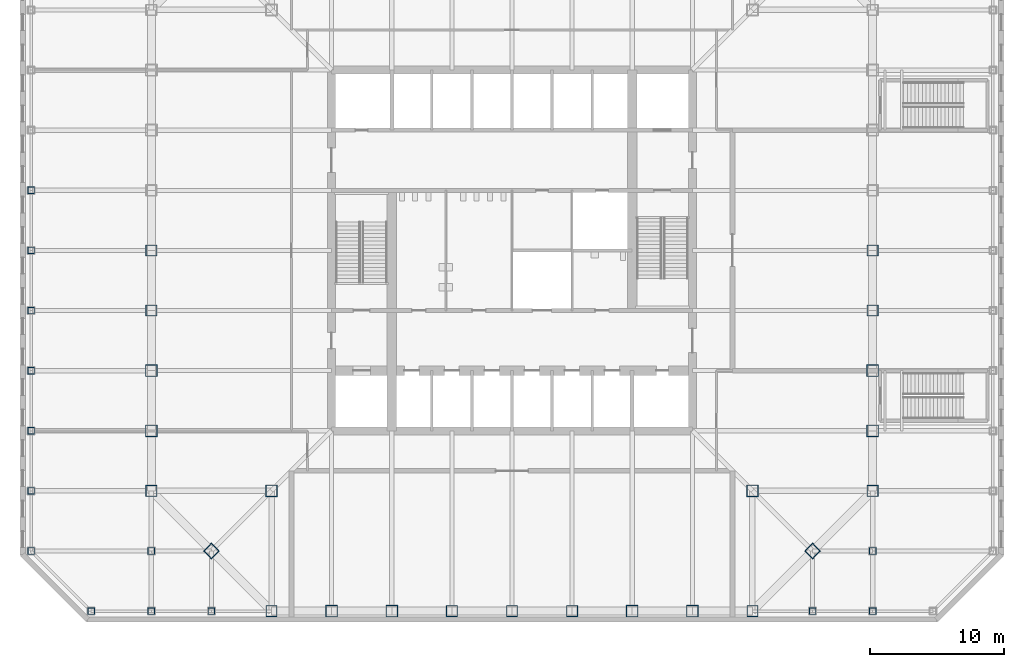
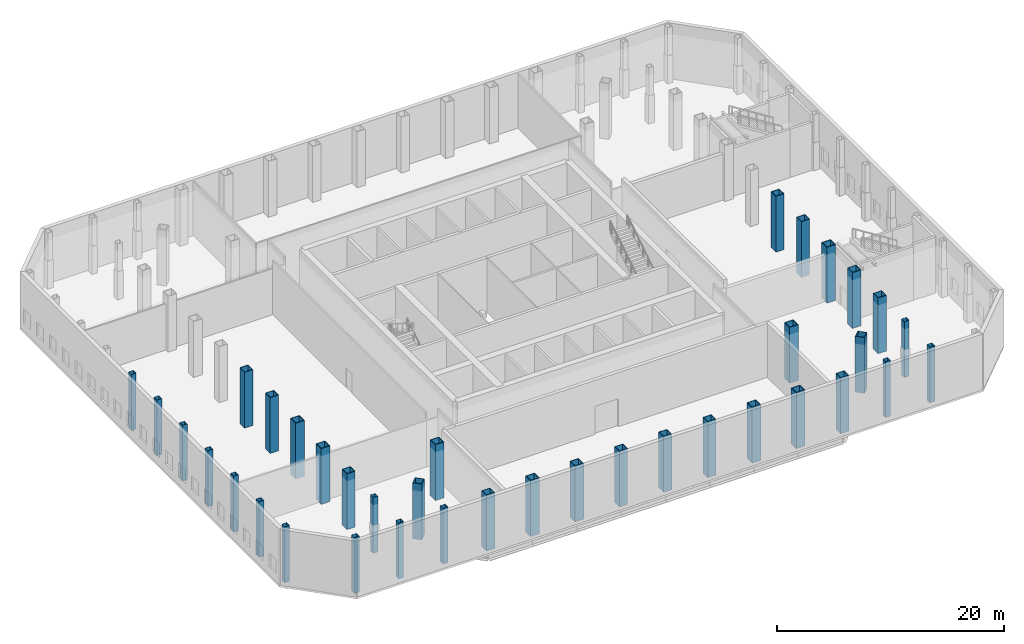
# One storey, part 1 of 13: 37 columns.
"""IFC4 building model written with IfcOpenShell, lengths in metres."""

import ifcopenshell
import ifcopenshell.guid

model = None  # the IFC model being written
_history = None  # IfcOwnerHistory: only IFC2X3 demands one
_inside = {}  # id of a spatial element -> (the spatial element, [elements in it])
_under = {}  # id of a project, library or spatial element -> (it, [spatial elements below it])
_declared = {}  # id of a project -> (the project, [libraries it declares])
_typed = {}  # id of a type object -> (the type object, [elements of that type])
_made_of = {}  # id of a material, layer set ... -> (it, [elements and type objects made of it])


def new_model(schema):
    """Start an empty IFC model of exactly this schema.

    Asked for "IFC4X3", IfcOpenShell would pick the latest addendum, in which some entities
    have other attributes; the version numbers below select the first issue.
    IFC2X3 requires an IfcOwnerHistory on every rooted entity: one is made here for all.
    """
    global model, _history
    if schema == "IFC4X3":
        model = ifcopenshell.file(schema_version=(4, 3, 0, 0))
    else:
        model = ifcopenshell.file(schema=schema)
    _inside.clear()
    _under.clear()
    _declared.clear()
    _typed.clear()
    _made_of.clear()
    _history = None
    if model.schema == "IFC2X3":
        org = make("IfcOrganization", Name="unknown")
        user = make(
            "IfcPersonAndOrganization",
            ThePerson=make("IfcPerson", FamilyName="unknown"),
            TheOrganization=org,
        )
        app = make(
            "IfcApplication",
            ApplicationDeveloper=org,
            Version="unknown",
            ApplicationFullName="unknown",
            ApplicationIdentifier="unknown",
        )
        _history = make(
            "IfcOwnerHistory",
            OwningUser=user,
            OwningApplication=app,
            ChangeAction="ADDED",
            CreationDate=0,
        )
    return model


def make(cls, **values):
    """One entity of the class cls with the attributes given. An attribute that is None is left unset."""
    return model.create_entity(
        cls, **{name: value for name, value in values.items() if value is not None}
    )


def rooted(cls, **values):
    """An entity with a GlobalId (a new one), such as an element, a storey or a relation."""
    return make(cls, GlobalId=ifcopenshell.guid.new(), OwnerHistory=_history, **values)


def si_unit(unit_type, name, prefix=None):
    """IfcSIUnit, for example si_unit("LENGTHUNIT", "METRE", prefix="MILLI")."""
    return make("IfcSIUnit", UnitType=unit_type, Prefix=prefix, Name=name)


def assignment(units):
    """IfcUnitAssignment: the units of a project."""
    return None if units is None else make("IfcUnitAssignment", Units=units)


def point(xyz):
    """IfcCartesianPoint."""
    return None if xyz is None else make("IfcCartesianPoint", Coordinates=xyz)


def direction(xyz):
    """IfcDirection."""
    return None if xyz is None else make("IfcDirection", DirectionRatios=xyz)


def frame(location, z_axis=None, x_axis=None):
    """IfcAxis2Placement3D, a coordinate frame: its origin and axes. An axis left out is left unset."""
    return make(
        "IfcAxis2Placement3D",
        Location=point(location),
        Axis=direction(z_axis),
        RefDirection=direction(x_axis),
    )


def frame_2d(location, x_axis=None):
    """IfcAxis2Placement2D, a coordinate frame in the plane: its origin and x axis."""
    return make(
        "IfcAxis2Placement2D", Location=point(location), RefDirection=direction(x_axis)
    )


def origin():
    """The frame at (0, 0, 0) with its axes left unset."""
    return frame((0.0, 0.0, 0.0))


def origin_2d():
    """The frame at (0, 0) in the plane with its x axis left unset."""
    return frame_2d((0.0, 0.0))


def place(relative_to, where):
    """IfcLocalPlacement: puts the frame where relative to a parent placement (None: the world)."""
    return make(
        "IfcLocalPlacement", PlacementRelTo=relative_to, RelativePlacement=where
    )


def context(
    kind, dimensions, precision=None, world=None, true_north=None, identifier=None
):
    """IfcGeometricRepresentationContext, for example the 3D "Model" context."""
    return make(
        "IfcGeometricRepresentationContext",
        ContextIdentifier=identifier,
        ContextType=kind,
        CoordinateSpaceDimension=dimensions,
        Precision=precision,
        WorldCoordinateSystem=world,
        TrueNorth=true_north,
    )


def subcontext(parent, identifier, kind, view, scale=None):
    """IfcGeometricRepresentationSubContext, for example "Body" below "Model"."""
    return make(
        "IfcGeometricRepresentationSubContext",
        ContextIdentifier=identifier,
        ContextType=kind,
        ParentContext=parent,
        TargetScale=scale,
        TargetView=view,
    )


def project(units=None, contexts=None):
    """IfcProject with its units and contexts."""
    return rooted(
        "IfcProject",
        Name="project",
        RepresentationContexts=contexts,
        UnitsInContext=assignment(units),
    )


def spatial(cls, under=None, at=None, **own):
    """A site, building, storey or space (cls), placed at a placement, below another one or the project."""
    s = rooted(cls, ObjectPlacement=at, **own)
    if under is not None:
        _under.setdefault(under.id(), (under, []))[1].append(s)
    return s


def profile(cls, at=None, kind="AREA", **sizes):
    """A parametric profile (cls). Its sizes go by their IFC names, for example OverallWidth=200.0."""
    return make(cls, ProfileType=kind, Position=at, **sizes)


def hollow_rectangle(**sizes):
    """IfcRectangleHollowProfileDef."""
    return profile("IfcRectangleHollowProfileDef", **sizes)


def extrude(swept, where, along, depth):
    """IfcExtrudedAreaSolid: the profile swept, set in the frame where, extruded along a direction by depth."""
    return make(
        "IfcExtrudedAreaSolid",
        SweptArea=swept,
        Position=where,
        ExtrudedDirection=direction(along),
        Depth=depth,
    )


def shape(context_of_items, identifier, shape_type, items):
    """IfcShapeRepresentation: the items that make up one representation, for example the "Body"."""
    return make(
        "IfcShapeRepresentation",
        ContextOfItems=context_of_items,
        RepresentationIdentifier=identifier,
        RepresentationType=shape_type,
        Items=items,
    )


def material(Name=None, Category=None):
    """IfcMaterial."""
    return make("IfcMaterial", Name=Name, Category=Category)


def material_profile(
    of_material, cross_section, Name=None, Category=None, Priority=None
):
    """IfcMaterialProfile: a cross section and its material."""
    return make(
        "IfcMaterialProfile",
        Name=Name,
        Material=of_material,
        Profile=cross_section,
        Priority=Priority,
        Category=Category,
    )


def profile_set(profiles, Name=None, composite=None):
    """IfcMaterialProfileSet."""
    return make(
        "IfcMaterialProfileSet",
        Name=Name,
        MaterialProfiles=profiles,
        CompositeProfile=composite,
    )


def made_of(thing, what):
    """Note that an element or type object is made of a material, layer set ...; save() writes the relation."""
    if what is not None:
        _made_of.setdefault(what.id(), (what, []))[1].append(thing)
    return thing


def type_object(cls, material=None, **own):
    """A type object (cls), such as IfcWallType, which elements share."""
    return made_of(rooted(cls, **own), material)


def element(
    cls,
    number,
    at=None,
    inside=None,
    cuts=None,
    type_object=None,
    material=None,
    context=None,
    identifier="Body",
    shape_type=None,
    held_by="IfcProductDefinitionShape",
    body=None,
    shapes=None,
    **own,
):
    """One element of the class cls, such as IfcWall. Its Tag is "e" and its number.

    at: its placement. inside: the storey or other place that contains it. cuts: it is an
    opening in that element (IfcRelVoidsElement). A single representation is given by context,
    identifier, shape_type and body (its items); several are given by shapes. held_by: the class
    of the entity that holds the representations. save() writes the other relations.
    """
    e = rooted(cls, Tag="e%d" % number, ObjectPlacement=at, **own)
    if body is not None:
        shapes = [shape(context, identifier, shape_type, body)]
    if shapes is not None:
        e.Representation = make(held_by, Representations=shapes)
    if inside is not None:
        _inside.setdefault(inside.id(), (inside, []))[1].append(e)
    if cuts is not None:
        rooted(
            "IfcRelVoidsElement", RelatingBuildingElement=cuts, RelatedOpeningElement=e
        )
    if type_object is not None:
        _typed.setdefault(type_object.id(), (type_object, []))[1].append(e)
    return made_of(e, material)


def aggregate(whole, parts):
    """IfcRelAggregates: a whole, such as a stair, and the parts it consists of."""
    return rooted("IfcRelAggregates", RelatingObject=whole, RelatedObjects=parts)


def save(model, path):
    """Write the relations noted so far, then the file.

    IfcRelAggregates (storeys below a building ...), IfcRelContainedInSpatialStructure (elements
    in a storey), IfcRelDefinesByType, IfcRelAssociatesMaterial and IfcRelDeclares: one each for
    every whole, place, type object, material and project.
    """
    for whole, parts in _under.values():
        aggregate(whole, parts)
    for where, things in _inside.values():
        rooted(
            "IfcRelContainedInSpatialStructure",
            RelatedElements=things,
            RelatingStructure=where,
        )
    for kind, things in _typed.values():
        rooted("IfcRelDefinesByType", RelatedObjects=things, RelatingType=kind)
    for what, things in _made_of.values():
        rooted("IfcRelAssociatesMaterial", RelatedObjects=things, RelatingMaterial=what)
    for by, libraries in _declared.values():
        rooted("IfcRelDeclares", RelatingContext=by, RelatedDefinitions=libraries)
    model.write(path)


model = new_model("IFC4")

# Units and contexts
model_context = context("Model", 3, precision=1e-05, world=origin(), true_north=direction((0.0, 1.0)))
body_context = subcontext(model_context, "Body", "Model", "MODEL_VIEW")
ifc_project = project(units=[si_unit("LENGTHUNIT", "METRE"), si_unit("AREAUNIT", "SQUARE_METRE"), si_unit("VOLUMEUNIT", "CUBIC_METRE"), si_unit("PLANEANGLEUNIT", "RADIAN"), si_unit("MASSUNIT", "GRAM", prefix="KILO")], contexts=[model_context])

# Site, building, storey
site_placement = place(None, origin())
site = spatial("IfcSite", under=ifc_project, at=site_placement, CompositionType="ELEMENT")
building_placement = place(site_placement, origin())
building = spatial("IfcBuilding", under=site, at=building_placement, Name="Corais Broadcast Tower", CompositionType="ELEMENT")
storey_placement = place(building_placement, frame((0.0, 0.0, 12.0)))
storey = spatial("IfcBuildingStorey", under=building, at=storey_placement, Name="L02", CompositionType="ELEMENT", Elevation=12.0)

# Columns
ifc_material_1 = material(Name="Steel ASTM A572 Grade 50", Category="steel")
ifc_material_profile_1 = material_profile(ifc_material_1, hollow_rectangle(XDim=0.5, YDim=0.5, WallThickness=0.02197265625, at=origin_2d()), Name="BOX 500x500x22")
ifc_profile_set_1 = profile_set([ifc_material_profile_1], Name="Steel ASTM A572 Grade 50")
column_type_1 = type_object("IfcColumnType", Name="Column BOX 500x500x22", PredefinedType="COLUMN", material=ifc_profile_set_1)
for number, where, z_axis, x_axis, name in (
    (1, (-9.0, 4.5, 0.0), (0.0, 0.0, 1.0), (1.0, 0.0, 0.0), "C9 B/1"),
    (2, (-9.0, 9.0, 0.0), (0.0, 0.0, 1.0), (1.0, 0.0, 0.0), "C9 C/1"),
    (3, (-9.0, 13.5, 0.0), (0.0, 0.0, 1.0), (1.0, 0.0, 0.0), "C9 D/1"),
    (4, (-9.0, 18.0, 0.0), (0.0, 0.0, 1.0), (1.0, 0.0, 0.0), "C9 E/1"),
    (5, (-9.0, 22.5, 0.0), (0.0, 0.0, 1.0), (1.0, 0.0, 0.0), "C9 F/1"),
    (6, (-9.0, 27.0, 0.0), (0.0, 0.0, 1.0), (1.0, 0.0, 0.0), "C9 G/1"),
    (7, (-9.0, 31.5, 0.0), (0.0, 0.0, 1.0), (1.0, 0.0, 0.0), "C9 H/1"),
    (8, (-4.5, 0.0, 0.0), (0.0, 0.0, 1.0), (1.0, 0.0, 0.0), "C9 A/2"),
    (9, (0.0, 0.0, 0.0), (0.0, 0.0, 1.0), (1.0, 0.0, 0.0), "C9 A/3"),
    (10, (4.5, 0.0, 0.0), (0.0, 0.0, 1.0), (1.0, 0.0, 0.0), "C9 A/4"),
    (11, (0.0, 4.5, 0.0), (0.0, 0.0, 1.0), (1.0, 0.0, 0.0), "C9 B/3"),
    (12, (54.0, 0.0, 0.0), (0.0, 0.0, 1.0), (1.0, 0.0, 0.0), "C9 A/15"),
    (13, (49.5, 0.0, 0.0), (0.0, 0.0, 1.0), (1.0, 0.0, 0.0), "C9 A/14"),
    (14, (54.0, 4.5, 0.0), (0.0, 0.0, 1.0), (1.0, 0.0, 0.0), "C9 B/15"),
):
    element("IfcColumn", number, at=place(storey_placement, frame(where, z_axis=z_axis, x_axis=x_axis)), inside=storey, type_object=column_type_1, Name=name, PredefinedType="COLUMN", context=body_context, shape_type="SweptSolid", body=[
        extrude(hollow_rectangle(XDim=0.5, YDim=0.5, WallThickness=0.02197265625, at=origin_2d()), origin(), (0.0, 0.0, 1.0), 6.0),
    ])
ifc_material_2 = material(Name="Steel ASTM A572 Grade 50", Category="steel")
ifc_material_profile_2 = material_profile(ifc_material_2, hollow_rectangle(XDim=0.85009765625, YDim=0.85009765625, WallThickness=0.050048828125, at=origin_2d()), Name="BOX 850x850x50")
ifc_profile_set_2 = profile_set([ifc_material_profile_2], Name="Steel ASTM A572 Grade 50")
column_type_2 = type_object("IfcColumnType", Name="Column BOX 850x850x50", PredefinedType="COLUMN", material=ifc_profile_set_2)
for number, where, z_axis, x_axis, name in (
    (15, (9.0, 0.0, 0.0), (0.0, 0.0, 1.0), (1.0, 0.0, 0.0), "C1 A/5"),
    (16, (22.5, 0.0, 0.0), (0.0, 0.0, 1.0), (1.0, 0.0, 0.0), "C1 A/8"),
    (17, (27.0, 0.0, 0.0), (0.0, 0.0, 1.0), (1.0, 0.0, 0.0), "C1 A/9"),
    (18, (31.5, 0.0, 0.0), (0.0, 0.0, 1.0), (1.0, 0.0, 0.0), "C1 A/10"),
    (19, (45.0, 0.0, 0.0), (0.0, 0.0, 1.0), (1.0, 0.0, 0.0), "C1 A/13"),
    (20, (54.0, 9.0, 0.0), (0.0, 0.0, 1.0), (1.0, 0.0, 0.0), "C1 C/15"),
    (21, (54.0, 22.5, 0.0), (0.0, 0.0, 1.0), (1.0, 0.0, 0.0), "C1 F/15"),
    (22, (54.0, 27.0, 0.0), (0.0, 0.0, 1.0), (1.0, 0.0, 0.0), "C1 G/15"),
    (23, (0.0, 27.0, 0.0), (0.0, 0.0, 1.0), (1.0, 0.0, 0.0), "C1 G/3"),
    (24, (0.0, 22.5, 0.0), (0.0, 0.0, 1.0), (1.0, 0.0, 0.0), "C1 F/3"),
    (25, (0.0, 9.0, 0.0), (0.0, 0.0, 1.0), (1.0, 0.0, 0.0), "C1 C/3"),
    (26, (4.5, 4.5, 0.0), (0.0, 0.0, 1.0), (0.707106781187, 0.707106781187, 0.0), "C1 B/4"),
    (27, (49.5, 4.5, 0.0), (0.0, 0.0, 1.0), (0.707106781187, 0.707106781187, 0.0), "C1 B/14"),
):
    element("IfcColumn", number, at=place(storey_placement, frame(where, z_axis=z_axis, x_axis=x_axis)), inside=storey, type_object=column_type_2, Name=name, PredefinedType="COLUMN", context=body_context, shape_type="SweptSolid", body=[
        extrude(hollow_rectangle(XDim=0.85009765625, YDim=0.85009765625, WallThickness=0.050048828125, at=origin_2d()), origin(), (0.0, 0.0, 1.0), 6.0),
    ])
ifc_material_3 = material(Name="Steel ASTM A572 Grade 50", Category="steel")
ifc_material_profile_3 = material_profile(ifc_material_3, hollow_rectangle(XDim=0.89990234375, YDim=0.89990234375, WallThickness=0.06298828125, at=origin_2d()), Name="BOX 900x900x63")
ifc_profile_set_3 = profile_set([ifc_material_profile_3], Name="Steel ASTM A572 Grade 50")
column_type_3 = type_object("IfcColumnType", Name="Column BOX 900x900x63", PredefinedType="COLUMN", material=ifc_profile_set_3)
for number, where, z_axis, x_axis, name in (
    (28, (13.5, 0.0, 0.0), (0.0, 0.0, 1.0), (1.0, 0.0, 0.0), "C2 A/6"),
    (29, (18.0, 0.0, 0.0), (0.0, 0.0, 1.0), (1.0, 0.0, 0.0), "C2 A/7"),
    (30, (36.0, 0.0, 0.0), (0.0, 0.0, 1.0), (1.0, 0.0, 0.0), "C2 A/11"),
    (31, (40.5, 0.0, 0.0), (0.0, 0.0, 1.0), (1.0, 0.0, 0.0), "C2 A/12"),
    (32, (54.0, 13.5, 0.0), (0.0, 0.0, 1.0), (1.0, 0.0, 0.0), "C2 D/15"),
    (33, (54.0, 18.0, 0.0), (0.0, 0.0, 1.0), (1.0, 0.0, 0.0), "C2 E/15"),
    (34, (0.0, 18.0, 0.0), (0.0, 0.0, 1.0), (1.0, 0.0, 0.0), "C2 E/3"),
    (35, (0.0, 13.5, 0.0), (0.0, 0.0, 1.0), (1.0, 0.0, 0.0), "C2 D/3"),
    (36, (9.0, 9.0, 0.0), (0.0, 0.0, 1.0), (1.0, 0.0, 0.0), "C2 C/5"),
    (37, (45.0, 9.0, 0.0), (0.0, 0.0, 1.0), (1.0, 0.0, 0.0), "C2 C/13"),
):
    element("IfcColumn", number, at=place(storey_placement, frame(where, z_axis=z_axis, x_axis=x_axis)), inside=storey, type_object=column_type_3, Name=name, PredefinedType="COLUMN", context=body_context, shape_type="SweptSolid", body=[
        extrude(hollow_rectangle(XDim=0.89990234375, YDim=0.89990234375, WallThickness=0.06298828125, at=origin_2d()), origin(), (0.0, 0.0, 1.0), 6.0),
    ])

save(model, "model.ifc")
